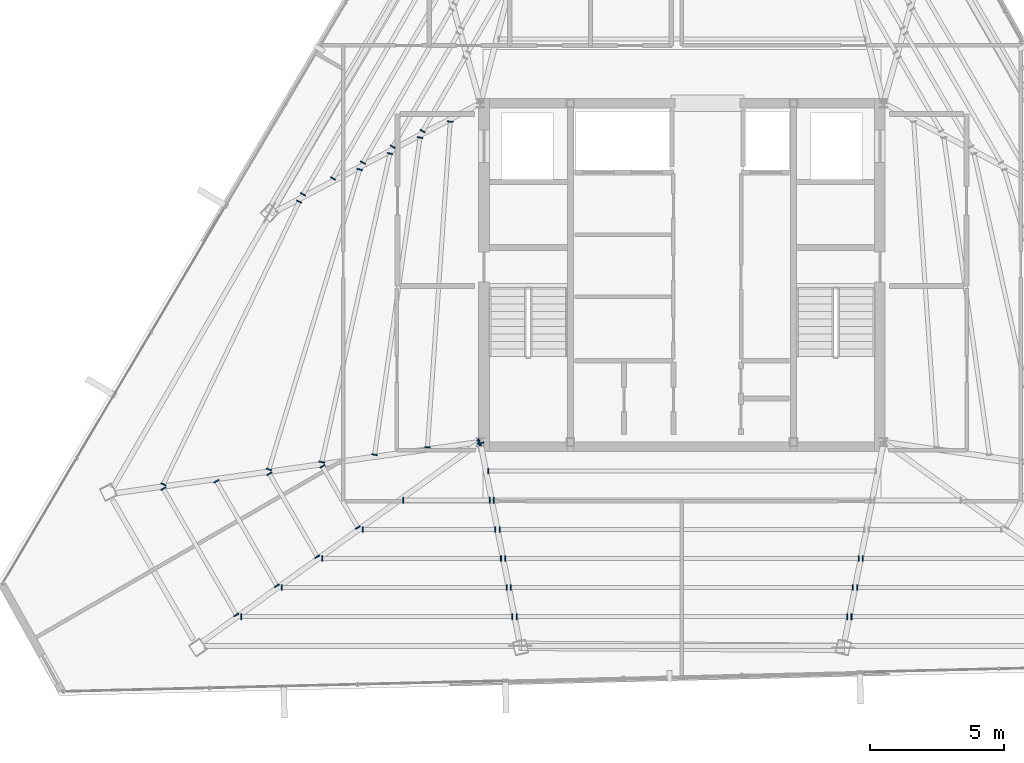
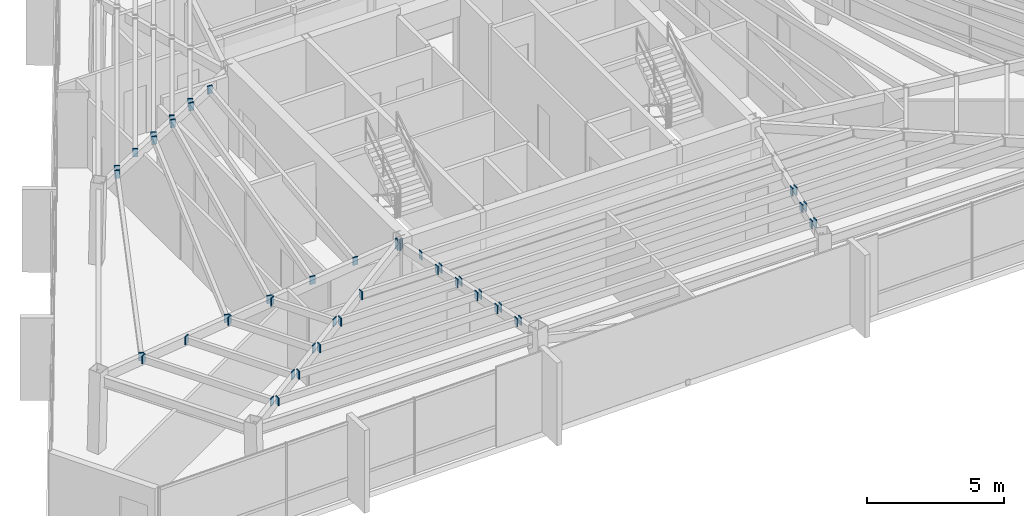
# One storey, part 40 of 48: 48 plates.
"""IFC4 building model written with IfcOpenShell, lengths in metres."""

from ifc_helpers import new_model, si_unit, direction, frame, origin, origin_2d, place, context, subcontext, project, spatial, rectangle, extrude, source, transform, mapped, material, layer, layer_set, type_object, type_shapes, element, save


model = new_model("IFC4")

# Units and contexts
model_context = context("Model", 3, precision=1e-05, world=origin(), true_north=direction((0.0, 1.0)))
body_context = subcontext(model_context, "Body", "Model", "MODEL_VIEW")
ifc_project = project(units=[si_unit("LENGTHUNIT", "METRE"), si_unit("AREAUNIT", "SQUARE_METRE"), si_unit("VOLUMEUNIT", "CUBIC_METRE"), si_unit("PLANEANGLEUNIT", "RADIAN"), si_unit("MASSUNIT", "GRAM", prefix="KILO")], contexts=[model_context])

# Site, building, storey
site_placement = place(None, origin())
site = spatial("IfcSite", under=ifc_project, at=site_placement, CompositionType="ELEMENT")
building_placement = place(site_placement, origin())
building = spatial("IfcBuilding", under=site, at=building_placement, Name="Caelisora Broadcast Tower", CompositionType="ELEMENT")
storey_placement = place(building_placement, frame((0.0, 0.0, 277.300048828125)))
storey = spatial("IfcBuildingStorey", under=building, at=storey_placement, Name="L73", CompositionType="ELEMENT", Elevation=277.300048828125)

# Plates
ifc_material = material(Name="Steel Grade 350 L15 (AS/NZS 3678)", Category="steel")
ifc_layer = layer(ifc_material, 0.0400390625, Name="Steel Grade 350 L15 (AS/NZS 3678)")
ifc_layer_set = layer_set([ifc_layer], Name="Steel Grade 350 L15 (AS/NZS 3678)")
plate_type = type_object("IfcPlateType", Name="GP04", PredefinedType="USERDEFINED", material=ifc_layer_set)
shared_shape_1 = source(origin(), body_context, "Body", "SweptSolid", [
    extrude(rectangle(XDim=0.260009765625, YDim=0.0400390625, at=origin_2d()), origin(), (0.0, 0.0, 1.0), 0.4599609375),
])
for number, where, z_axis, x_axis, name in (
    (1, (30.46044921875, 17.394287109375, 2.969970703125), (0.0, 0.0, 1.0), (0.138827423723, -0.990316588987, 0.0), "L73 gusset plate GP04 (ND-RAD-L73-05)"),
    (2, (30.467529296875, 17.376708984375, 2.969970703125), (0.0, 0.0, 1.0), (0.583824646426, -0.811879783112, 0.0), "L73 gusset plate GP04 (ND-RAD-L73-06)"),
    (3, (30.5078125, 17.360595703125, 2.969970703125), (0.0, 0.0, 1.0), (0.981359807051, 0.192179419046, 0.0), "L73 gusset plate GP04 (ND-RAD-L73-07)"),
):
    element("IfcPlate", number, at=place(storey_placement, frame(where, z_axis=z_axis, x_axis=x_axis)), inside=storey, type_object=plate_type, Name=name, ObjectType="GUSSET PLATE", PredefinedType="USERDEFINED", context=body_context, shape_type="MappedRepresentation", body=[
        mapped(shared_shape_1, transform((0.0, 0.0, 0.0), scale=1.0)),
    ])
shared_shape_2 = source(origin(), body_context, "Body", "SweptSolid", [
    extrude(rectangle(XDim=0.2099609375, YDim=0.0400390625, at=origin_2d()), origin(), (0.0, 0.0, 1.0), 0.360107421875),
])
type_shapes(plate_type, [shared_shape_1, shared_shape_2])
for number, where, z_axis, x_axis, name in (
    (4, (28.35693359375, 28.96630859375, 3.06982421875), (0.0, 0.0, 1.0), (0.866025403784, -0.5, 0.0), "L73 gusset plate GP04 (ND-SB-L73-012B)"),
    (5, (27.244384765625, 28.3779296875, 3.06982421875), (0.0, 0.0, 1.0), (0.866025403784, -0.5, 0.0), "L73 gusset plate GP04 (ND-SB-L73-013B)"),
    (6, (26.131591796875, 27.789794921875, 3.06982421875), (0.0, 0.0, 1.0), (0.866025403784, -0.5, 0.0), "L73 gusset plate GP04 (ND-SB-L73-014B)"),
    (7, (25.018798828125, 27.201416015625, 3.06982421875), (0.0, 0.0, 1.0), (0.866025403784, -0.5, 0.0), "L73 gusset plate GP04 (ND-SB-L73-015B)"),
    (8, (23.906005859375, 26.613037109375, 3.06982421875), (0.0, 0.0, 1.0), (0.866025403784, -0.5, 0.0), "L73 gusset plate GP04 (ND-SB-L73-016B)"),
    (9, (29.380615234375, 29.317138671875, 3.06982421875), (0.0, 0.0, 1.0), (0.99756405026, -0.069756473744, 0.0), "L73 gusset plate GP04 (ND-SB-L73-017A)"),
    (10, (28.533447265625, 17.202392578125, 3.06982421875), (0.0, 0.0, 1.0), (0.99756405026, -0.069756473744, 0.0), "L73 gusset plate GP04 (ND-SB-L73-017B)"),
    (11, (28.26025390625, 28.7236328125, 3.06982421875), (0.0, 0.0, 1.0), (0.989850775563, -0.142110668555, 0.0), "L73 gusset plate GP04 (ND-SB-L73-018A)"),
    (12, (26.5673828125, 16.927001953125, 3.06982421875), (0.0, 0.0, 1.0), (0.989850775563, -0.142110668555, 0.0), "L73 gusset plate GP04 (ND-SB-L73-018B)"),
    (13, (27.138427734375, 28.12939453125, 3.06982421875), (0.0, 0.0, 1.0), (0.976446872546, -0.215757978057, 0.0), "L73 gusset plate GP04 (ND-SB-L73-019A)"),
    (14, (24.60205078125, 16.652099609375, 3.06982421875), (0.0, 0.0, 1.0), (0.976446872546, -0.215757978057, 0.0), "L73 gusset plate GP04 (ND-SB-L73-019B)"),
    (15, (26.014892578125, 27.5341796875, 3.06982421875), (0.0, 0.0, 1.0), (0.957117481996, -0.289700061544, 0.0), "L73 gusset plate GP04 (ND-SB-L73-020A)"),
    (16, (22.63720703125, 16.377197265625, 3.06982421875), (0.0, 0.0, 1.0), (0.957117481996, -0.289700061544, 0.0), "L73 gusset plate GP04 (ND-SB-L73-020B)"),
    (17, (23.7607421875, 26.33935546875, 3.06982421875), (0.0, 0.0, 1.0), (0.901379552865, -0.433029908525, 0.0), "L73 gusset plate GP04 (ND-SB-L73-021A)"),
    (18, (18.710205078125, 15.827880859375, 3.06982421875), (0.0, 0.0, 1.0), (0.901379552865, -0.433029908525, 0.0), "L73 gusset plate GP04 (ND-SB-L73-021B)"),
    (19, (24.62646484375, 16.49658203125, 3.06982421875), (0.0, 0.0, 1.0), (0.866025403784, 0.5, 0.0), "L73 gusset plate GP04 (ND-SB-L73-022A)"),
    (20, (25.942138671875, 14.2177734375, 3.06982421875), (0.0, 0.0, 1.0), (0.866025403784, 0.5, 0.0), "L73 gusset plate GP04 (ND-SB-L73-022B)"),
    (21, (22.654296875, 16.22021484375, 3.06982421875), (0.0, 0.0, 1.0), (0.866025403784, 0.5, 0.0), "L73 gusset plate GP04 (ND-SB-L73-023A)"),
    (22, (24.435791015625, 13.134765625, 3.06982421875), (0.0, 0.0, 1.0), (0.866025403784, 0.5, 0.0), "L73 gusset plate GP04 (ND-SB-L73-023B)"),
    (23, (20.682373046875, 15.943603515625, 3.06982421875), (0.0, 0.0, 1.0), (0.866025403784, 0.5, 0.0), "L73 gusset plate GP04 (ND-SB-L73-024A)"),
    (24, (22.929443359375, 12.051513671875, 3.06982421875), (0.0, 0.0, 1.0), (0.866025403784, 0.5, 0.0), "L73 gusset plate GP04 (ND-SB-L73-024B)"),
    (25, (18.71044921875, 15.6669921875, 3.06982421875), (0.0, 0.0, 1.0), (0.866025403784, 0.5, 0.0), "L73 gusset plate GP04 (ND-SB-L73-025A)"),
    (26, (21.423095703125, 10.968505859375, 3.06982421875), (0.0, 0.0, 1.0), (0.866025403784, 0.5, 0.0), "L73 gusset plate GP04 (ND-SB-L73-025B)"),
    (27, (27.635498046875, 15.23388671875, 3.06982421875), (0.0, 0.0, 1.0), (0.0, 1.0, 0.0), "L73 gusset plate GP04 (ND-SB-L73-026A)"),
    (28, (30.845458984375, 15.23388671875, 3.06982421875), (0.0, 0.0, 1.0), (0.0, 1.0, 0.0), "L73 gusset plate GP04 (ND-SB-L73-026B)"),
    (29, (26.129150390625, 14.150634765625, 3.06982421875), (0.0, 0.0, 1.0), (0.0, 1.0, 0.0), "L73 gusset plate GP04 (ND-SB-L73-027A)"),
    (30, (31.0576171875, 14.150634765625, 3.06982421875), (0.0, 0.0, 1.0), (0.0, 1.0, 0.0), "L73 gusset plate GP04 (ND-SB-L73-027B)"),
    (31, (24.622802734375, 13.0673828125, 3.06982421875), (0.0, 0.0, 1.0), (0.0, 1.0, 0.0), "L73 gusset plate GP04 (ND-SB-L73-028A)"),
    (32, (31.269775390625, 13.0673828125, 3.06982421875), (0.0, 0.0, 1.0), (0.0, 1.0, 0.0), "L73 gusset plate GP04 (ND-SB-L73-028B)"),
    (33, (23.116455078125, 11.984375, 3.06982421875), (0.0, 0.0, 1.0), (0.0, 1.0, 0.0), "L73 gusset plate GP04 (ND-SB-L73-029A)"),
    (34, (31.48193359375, 11.984375, 3.06982421875), (0.0, 0.0, 1.0), (0.0, 1.0, 0.0), "L73 gusset plate GP04 (ND-SB-L73-029B)"),
    (35, (21.610107421875, 10.9013671875, 3.06982421875), (0.0, 0.0, 1.0), (0.0, 1.0, 0.0), "L73 gusset plate GP04 (ND-SB-L73-030A)"),
    (36, (31.694091796875, 10.9013671875, 3.06982421875), (0.0, 0.0, 1.0), (0.0, 1.0, 0.0), "L73 gusset plate GP04 (ND-SB-L73-030B)"),
    (37, (30.791015625, 16.31689453125, 3.06982421875), (0.0, 0.0, 1.0), (0.0, 1.0, 0.0), "L73 gusset plate GP04 (ND-SB-L73-031A)"),
    (38, (31.003173828125, 15.23388671875, 3.06982421875), (0.0, 0.0, 1.0), (0.0, 1.0, 0.0), "L73 gusset plate GP04 (ND-SB-L73-032A)"),
    (39, (31.21533203125, 14.150634765625, 3.06982421875), (0.0, 0.0, 1.0), (0.0, 1.0, 0.0), "L73 gusset plate GP04 (ND-SB-L73-033A)"),
    (40, (31.427490234375, 13.0673828125, 3.06982421875), (0.0, 0.0, 1.0), (0.0, 1.0, 0.0), "L73 gusset plate GP04 (ND-SB-L73-034A)"),
    (41, (44.572509765625, 13.0673828125, 3.06982421875), (0.0, 0.0, 1.0), (0.0, 1.0, 0.0), "L73 gusset plate GP04 (ND-SB-L73-034B)"),
    (42, (31.639892578125, 11.984375, 3.06982421875), (0.0, 0.0, 1.0), (0.0, 1.0, 0.0), "L73 gusset plate GP04 (ND-SB-L73-035A)"),
    (43, (44.360107421875, 11.984375, 3.06982421875), (0.0, 0.0, 1.0), (0.0, 1.0, 0.0), "L73 gusset plate GP04 (ND-SB-L73-035B)"),
    (44, (31.851806640625, 10.9013671875, 3.06982421875), (0.0, 0.0, 1.0), (0.0, 1.0, 0.0), "L73 gusset plate GP04 (ND-SB-L73-036A)"),
    (45, (44.148193359375, 10.9013671875, 3.06982421875), (0.0, 0.0, 1.0), (0.0, 1.0, 0.0), "L73 gusset plate GP04 (ND-SB-L73-036B)"),
    (46, (44.730224609375, 13.0673828125, 3.06982421875), (0.0, 0.0, 1.0), (0.0, 1.0, 0.0), "L73 gusset plate GP04 (ND-SB-L73-039A)"),
    (47, (44.51806640625, 11.984375, 3.06982421875), (0.0, 0.0, 1.0), (0.0, 1.0, 0.0), "L73 gusset plate GP04 (ND-SB-L73-040A)"),
    (48, (44.305908203125, 10.9013671875, 3.06982421875), (0.0, 0.0, 1.0), (0.0, 1.0, 0.0), "L73 gusset plate GP04 (ND-SB-L73-041A)"),
):
    element("IfcPlate", number, at=place(storey_placement, frame(where, z_axis=z_axis, x_axis=x_axis)), inside=storey, type_object=plate_type, Name=name, ObjectType="GUSSET PLATE", PredefinedType="USERDEFINED", context=body_context, shape_type="MappedRepresentation", body=[
        mapped(shared_shape_2, transform((0.0, 0.0, 0.0), scale=1.0)),
    ])

save(model, "model.ifc")
